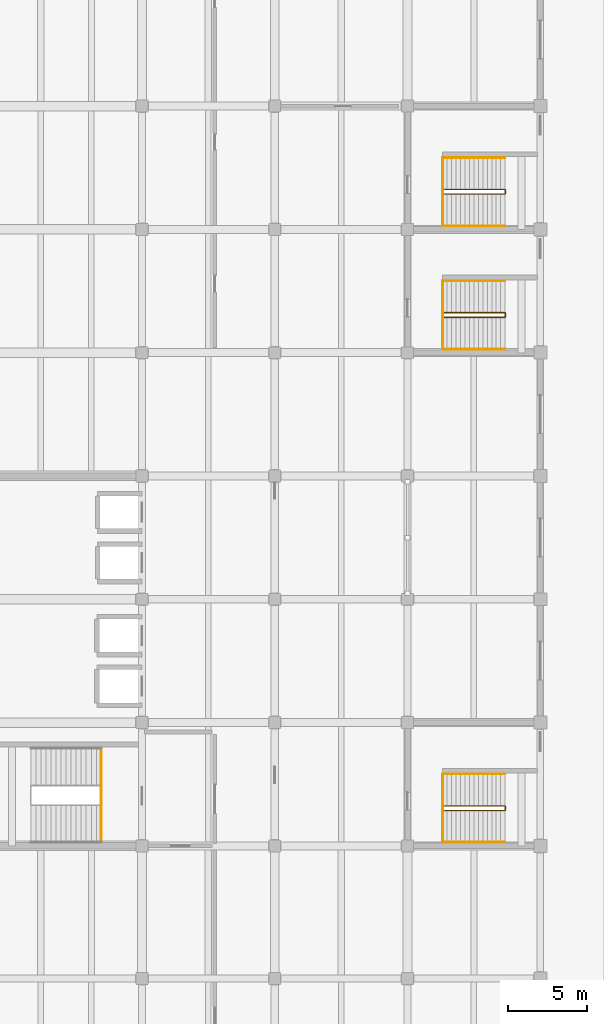
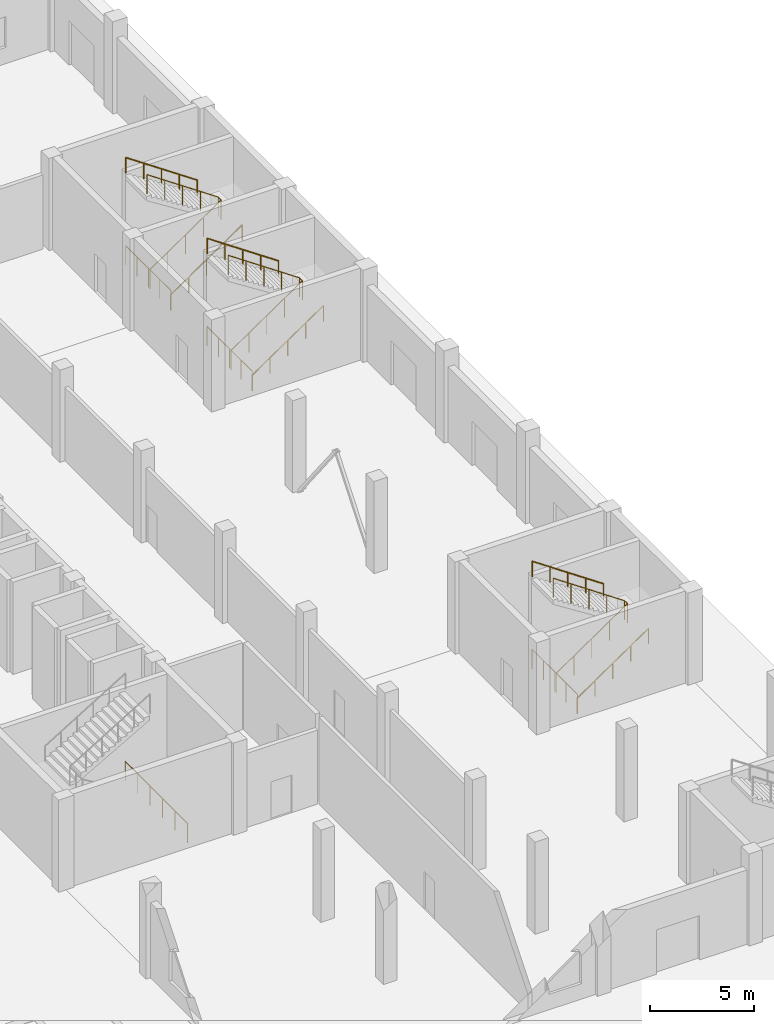
# One storey, part 77 of 78: 13 railings.
"""IFC4 building model written with IfcOpenShell, lengths in metres."""

from ifc_helpers import new_model, si_unit, direction, frame, origin, origin_2d, place, context, subcontext, project, spatial, circle, extrude, material, type_object, element, save


model = new_model("IFC4")

# Units and contexts
model_context = context("Model", 3, precision=1e-05, world=origin(), true_north=direction((0.0, 1.0)))
body_context = subcontext(model_context, "Body", "Model", "MODEL_VIEW")
ifc_project = project(units=[si_unit("LENGTHUNIT", "METRE"), si_unit("AREAUNIT", "SQUARE_METRE"), si_unit("VOLUMEUNIT", "CUBIC_METRE"), si_unit("PLANEANGLEUNIT", "RADIAN"), si_unit("MASSUNIT", "GRAM", prefix="KILO")], contexts=[model_context])

# Site, building, storey
site_placement = place(None, origin())
site = spatial("IfcSite", under=ifc_project, at=site_placement, CompositionType="ELEMENT")
building_placement = place(site_placement, origin())
building = spatial("IfcBuilding", under=site, at=building_placement, Name="Pellamere Symphony Hall", CompositionType="ELEMENT")
storey_placement = place(building_placement, origin())
storey = spatial("IfcBuildingStorey", under=building, at=storey_placement, Name="L00", CompositionType="ELEMENT", Elevation=0.0)

# Railings
ifc_material_1 = material(Name="Painted Steel CSA G40.21 350W", Category="steel")
railing_type_1 = type_object("IfcRailingType", Name="Guardrail GR-02 H1150 Painted", PredefinedType="GUARDRAIL", material=ifc_material_1)
railing_1_placement = place(storey_placement, frame((145.02490234375, 38.610107421875, 0.0)))
element("IfcRailing", 1, at=railing_1_placement, inside=storey, type_object=railing_type_1, Name="Stair ST02-L00 Landing Well Slot Guard (L00)", PredefinedType="GUARDRAIL", context=body_context, shape_type="SweptSolid", body=[
    extrude(circle(Radius=0.02392578125, at=origin_2d()), frame((0.0, 0.0, 1.1259765625), z_axis=(0.0, 1.0, 0.0), x_axis=(-1.0, 0.0, 0.0)), (0.0, 0.0, 1.0), 5.97998046875),
    extrude(circle(Radius=0.02099609375, at=origin_2d()), origin(), (0.0, 0.0, 1.0), 1.101806640625),
    extrude(circle(Radius=0.02099609375, at=origin_2d()), frame((0.0, 1.196044921875, 0.0)), (0.0, 0.0, 1.0), 1.101806640625),
    extrude(circle(Radius=0.02099609375, at=origin_2d()), frame((0.0, 2.39208984375, 0.0)), (0.0, 0.0, 1.0), 1.101806640625),
    extrude(circle(Radius=0.02099609375, at=origin_2d()), frame((0.0, 3.587890625, 0.0)), (0.0, 0.0, 1.0), 1.101806640625),
    extrude(circle(Radius=0.02099609375, at=origin_2d()), frame((0.0, 4.783935546875, 0.0)), (0.0, 0.0, 1.0), 1.101806640625),
    extrude(circle(Radius=0.02099609375, at=origin_2d()), frame((0.0, 5.97998046875, 0.0)), (0.0, 0.0, 1.0), 1.101806640625),
])
railing_2_placement = place(storey_placement, frame((166.625, 71.840087890625, 0.0)))
element("IfcRailing", 2, at=railing_2_placement, inside=storey, type_object=railing_type_1, Name="Stair ST05-L00 Continuous Well Guardrail (L00)", PredefinedType="GUARDRAIL", context=body_context, shape_type="SweptSolid", body=[
    extrude(circle(Radius=0.02392578125, at=origin_2d()), frame((0.0, 0.0, 1.1259765625), z_axis=(0.825565005729, 0.0, 0.564307027527), x_axis=(0.0, 1.0, 0.0)), (0.0, 0.0, 1.0), 4.784423828125),
    extrude(circle(Radius=0.02392578125, at=origin_2d()), frame((3.949951171875, 0.0, 3.82568359375), z_axis=(0.0, 1.0, 0.0), x_axis=(-1.0, 0.0, 0.0)), (0.0, 0.0, 1.0), 0.280029296875),
    extrude(circle(Radius=0.02392578125, at=origin_2d()), frame((3.949951171875, 0.280029296875, 3.82568359375), z_axis=(-0.825565005729, 0.0, 0.564307027527), x_axis=(0.0, -1.0, 0.0)), (0.0, 0.0, 1.0), 4.784423828125),
    extrude(circle(Radius=0.02099609375, at=origin_2d()), origin(), (0.0, 0.0, 1.0), 1.101806640625),
    extrude(circle(Radius=0.02099609375, at=origin_2d()), frame((0.987548828125, 0.0, 0.675048828125)), (0.0, 0.0, 1.0), 1.101806640625),
    extrude(circle(Radius=0.02099609375, at=origin_2d()), frame((1.97509765625, 0.0, 1.35009765625)), (0.0, 0.0, 1.0), 1.101806640625),
    extrude(circle(Radius=0.02099609375, at=origin_2d()), frame((2.96240234375, 0.0, 2.02490234375)), (0.0, 0.0, 1.0), 1.101806640625),
    extrude(circle(Radius=0.02099609375, at=origin_2d()), frame((3.949951171875, 0.0, 2.699951171875)), (0.0, 0.0, 1.0), 1.101806640625),
    extrude(circle(Radius=0.02099609375, at=origin_2d()), frame((3.949951171875, 0.280029296875, 2.699951171875)), (0.0, 0.0, 1.0), 1.101806640625),
    extrude(circle(Radius=0.02099609375, at=origin_2d()), frame((2.96240234375, 0.280029296875, 3.375)), (0.0, 0.0, 1.0), 1.101806640625),
    extrude(circle(Radius=0.02099609375, at=origin_2d()), frame((1.97509765625, 0.280029296875, 4.0498046875)), (0.0, 0.0, 1.0), 1.101806640625),
    extrude(circle(Radius=0.02099609375, at=origin_2d()), frame((0.987548828125, 0.280029296875, 4.724853515625)), (0.0, 0.0, 1.0), 1.101806640625),
    extrude(circle(Radius=0.02099609375, at=origin_2d()), frame((0.0, 0.280029296875, 5.39990234375)), (0.0, 0.0, 1.0), 1.101806640625),
])
railing_3_placement = place(storey_placement, frame((166.625, 69.81005859375, 0.0)))
element("IfcRailing", 3, at=railing_3_placement, inside=storey, type_object=railing_type_1, Name="Stair ST05-L00 Landing Well Slot Guard (L00)", PredefinedType="GUARDRAIL", context=body_context, shape_type="SweptSolid", body=[
    extrude(circle(Radius=0.02392578125, at=origin_2d()), frame((0.0, 0.0, 1.1259765625), z_axis=(0.0, 1.0, 0.0), x_axis=(-1.0, 0.0, 0.0)), (0.0, 0.0, 1.0), 4.33984375),
    extrude(circle(Radius=0.02099609375, at=origin_2d()), origin(), (0.0, 0.0, 1.0), 1.101806640625),
    extrude(circle(Radius=0.02099609375, at=origin_2d()), frame((0.0, 1.0849609375, 0.0)), (0.0, 0.0, 1.0), 1.101806640625),
    extrude(circle(Radius=0.02099609375, at=origin_2d()), frame((0.0, 2.169921875, 0.0)), (0.0, 0.0, 1.0), 1.101806640625),
    extrude(circle(Radius=0.02099609375, at=origin_2d()), frame((0.0, 3.2548828125, 0.0)), (0.0, 0.0, 1.0), 1.101806640625),
    extrude(circle(Radius=0.02099609375, at=origin_2d()), frame((0.0, 4.33984375, 0.0)), (0.0, 0.0, 1.0), 1.101806640625),
])
railing_4_placement = place(storey_placement, frame((166.625, 40.639892578125, 0.0)))
element("IfcRailing", 4, at=railing_4_placement, inside=storey, type_object=railing_type_1, Name="Stair ST06-L00 Continuous Well Guardrail (L00)", PredefinedType="GUARDRAIL", context=body_context, shape_type="SweptSolid", body=[
    extrude(circle(Radius=0.02392578125, at=origin_2d()), frame((0.0, 0.0, 1.1259765625), z_axis=(0.825565005729, 0.0, 0.564307027527), x_axis=(0.0, 1.0, 0.0)), (0.0, 0.0, 1.0), 4.784423828125),
    extrude(circle(Radius=0.02392578125, at=origin_2d()), frame((3.949951171875, 0.0, 3.82568359375), z_axis=(0.0, 1.0, 0.0), x_axis=(-1.0, 0.0, 0.0)), (0.0, 0.0, 1.0), 0.280029296875),
    extrude(circle(Radius=0.02392578125, at=origin_2d()), frame((3.949951171875, 0.280029296875, 3.82568359375), z_axis=(-0.825565005729, 0.0, 0.564307027527), x_axis=(0.0, -1.0, 0.0)), (0.0, 0.0, 1.0), 4.784423828125),
    extrude(circle(Radius=0.02099609375, at=origin_2d()), origin(), (0.0, 0.0, 1.0), 1.101806640625),
    extrude(circle(Radius=0.02099609375, at=origin_2d()), frame((0.987548828125, 0.0, 0.675048828125)), (0.0, 0.0, 1.0), 1.101806640625),
    extrude(circle(Radius=0.02099609375, at=origin_2d()), frame((1.97509765625, 0.0, 1.35009765625)), (0.0, 0.0, 1.0), 1.101806640625),
    extrude(circle(Radius=0.02099609375, at=origin_2d()), frame((2.96240234375, 0.0, 2.02490234375)), (0.0, 0.0, 1.0), 1.101806640625),
    extrude(circle(Radius=0.02099609375, at=origin_2d()), frame((3.949951171875, 0.0, 2.699951171875)), (0.0, 0.0, 1.0), 1.101806640625),
    extrude(circle(Radius=0.02099609375, at=origin_2d()), frame((3.949951171875, 0.280029296875, 2.699951171875)), (0.0, 0.0, 1.0), 1.101806640625),
    extrude(circle(Radius=0.02099609375, at=origin_2d()), frame((2.96240234375, 0.280029296875, 3.375)), (0.0, 0.0, 1.0), 1.101806640625),
    extrude(circle(Radius=0.02099609375, at=origin_2d()), frame((1.97509765625, 0.280029296875, 4.0498046875)), (0.0, 0.0, 1.0), 1.101806640625),
    extrude(circle(Radius=0.02099609375, at=origin_2d()), frame((0.987548828125, 0.280029296875, 4.724853515625)), (0.0, 0.0, 1.0), 1.101806640625),
    extrude(circle(Radius=0.02099609375, at=origin_2d()), frame((0.0, 0.280029296875, 5.39990234375)), (0.0, 0.0, 1.0), 1.101806640625),
])
railing_5_placement = place(storey_placement, frame((166.625, 38.610107421875, 0.0)))
element("IfcRailing", 5, at=railing_5_placement, inside=storey, type_object=railing_type_1, Name="Stair ST06-L00 Landing Well Slot Guard (L00)", PredefinedType="GUARDRAIL", context=body_context, shape_type="SweptSolid", body=[
    extrude(circle(Radius=0.02392578125, at=origin_2d()), frame((0.0, 0.0, 1.1259765625), z_axis=(0.0, 1.0, 0.0), x_axis=(-1.0, 0.0, 0.0)), (0.0, 0.0, 1.0), 4.33984375),
    extrude(circle(Radius=0.02099609375, at=origin_2d()), origin(), (0.0, 0.0, 1.0), 1.101806640625),
    extrude(circle(Radius=0.02099609375, at=origin_2d()), frame((0.0, 1.0849609375, 0.0)), (0.0, 0.0, 1.0), 1.101806640625),
    extrude(circle(Radius=0.02099609375, at=origin_2d()), frame((0.0, 2.169921875, 0.0)), (0.0, 0.0, 1.0), 1.101806640625),
    extrude(circle(Radius=0.02099609375, at=origin_2d()), frame((0.0, 3.2548828125, 0.0)), (0.0, 0.0, 1.0), 1.101806640625),
    extrude(circle(Radius=0.02099609375, at=origin_2d()), frame((0.0, 4.33984375, 0.0)), (0.0, 0.0, 1.0), 1.101806640625),
])
railing_6_placement = place(storey_placement, frame((166.625, 79.639892578125, 0.0)))
element("IfcRailing", 6, at=railing_6_placement, inside=storey, type_object=railing_type_1, Name="Stair ST14-L00 Continuous Well Guardrail (L00)", PredefinedType="GUARDRAIL", context=body_context, shape_type="SweptSolid", body=[
    extrude(circle(Radius=0.02392578125, at=origin_2d()), frame((0.0, 0.0, 1.1259765625), z_axis=(0.825565005729, 0.0, 0.564307027527), x_axis=(0.0, 1.0, 0.0)), (0.0, 0.0, 1.0), 4.784423828125),
    extrude(circle(Radius=0.02392578125, at=origin_2d()), frame((3.949951171875, 0.0, 3.82568359375), z_axis=(0.0, 1.0, 0.0), x_axis=(-1.0, 0.0, 0.0)), (0.0, 0.0, 1.0), 0.280029296875),
    extrude(circle(Radius=0.02392578125, at=origin_2d()), frame((3.949951171875, 0.280029296875, 3.82568359375), z_axis=(-0.825565005729, 0.0, 0.564307027527), x_axis=(0.0, -1.0, 0.0)), (0.0, 0.0, 1.0), 4.784423828125),
    extrude(circle(Radius=0.02099609375, at=origin_2d()), origin(), (0.0, 0.0, 1.0), 1.101806640625),
    extrude(circle(Radius=0.02099609375, at=origin_2d()), frame((0.987548828125, 0.0, 0.675048828125)), (0.0, 0.0, 1.0), 1.101806640625),
    extrude(circle(Radius=0.02099609375, at=origin_2d()), frame((1.97509765625, 0.0, 1.35009765625)), (0.0, 0.0, 1.0), 1.101806640625),
    extrude(circle(Radius=0.02099609375, at=origin_2d()), frame((2.96240234375, 0.0, 2.02490234375)), (0.0, 0.0, 1.0), 1.101806640625),
    extrude(circle(Radius=0.02099609375, at=origin_2d()), frame((3.949951171875, 0.0, 2.699951171875)), (0.0, 0.0, 1.0), 1.101806640625),
    extrude(circle(Radius=0.02099609375, at=origin_2d()), frame((3.949951171875, 0.280029296875, 2.699951171875)), (0.0, 0.0, 1.0), 1.101806640625),
    extrude(circle(Radius=0.02099609375, at=origin_2d()), frame((2.96240234375, 0.280029296875, 3.375)), (0.0, 0.0, 1.0), 1.101806640625),
    extrude(circle(Radius=0.02099609375, at=origin_2d()), frame((1.97509765625, 0.280029296875, 4.0498046875)), (0.0, 0.0, 1.0), 1.101806640625),
    extrude(circle(Radius=0.02099609375, at=origin_2d()), frame((0.987548828125, 0.280029296875, 4.724853515625)), (0.0, 0.0, 1.0), 1.101806640625),
    extrude(circle(Radius=0.02099609375, at=origin_2d()), frame((0.0, 0.280029296875, 5.39990234375)), (0.0, 0.0, 1.0), 1.101806640625),
])
railing_7_placement = place(storey_placement, frame((166.625, 77.610107421875, 0.0)))
element("IfcRailing", 7, at=railing_7_placement, inside=storey, type_object=railing_type_1, Name="Stair ST14-L00 Landing Well Slot Guard (L00)", PredefinedType="GUARDRAIL", context=body_context, shape_type="SweptSolid", body=[
    extrude(circle(Radius=0.02392578125, at=origin_2d()), frame((0.0, 0.0, 1.1259765625), z_axis=(0.0, 1.0, 0.0), x_axis=(-1.0, 0.0, 0.0)), (0.0, 0.0, 1.0), 4.33984375),
    extrude(circle(Radius=0.02099609375, at=origin_2d()), origin(), (0.0, 0.0, 1.0), 1.101806640625),
    extrude(circle(Radius=0.02099609375, at=origin_2d()), frame((0.0, 1.0849609375, 0.0)), (0.0, 0.0, 1.0), 1.101806640625),
    extrude(circle(Radius=0.02099609375, at=origin_2d()), frame((0.0, 2.169921875, 0.0)), (0.0, 0.0, 1.0), 1.101806640625),
    extrude(circle(Radius=0.02099609375, at=origin_2d()), frame((0.0, 3.2548828125, 0.0)), (0.0, 0.0, 1.0), 1.101806640625),
    extrude(circle(Radius=0.02099609375, at=origin_2d()), frame((0.0, 4.33984375, 0.0)), (0.0, 0.0, 1.0), 1.101806640625),
])
ifc_material_2 = material(Name="Stainless Steel AISI 316", Category="steel")
railing_type_2 = type_object("IfcRailingType", Name="Handrail HR-01 H920 Stainless", PredefinedType="HANDRAIL", material=ifc_material_2)
railing_8_placement = place(storey_placement, frame((166.625, 69.820068359375, 0.0)))
element("IfcRailing", 8, at=railing_8_placement, inside=storey, type_object=railing_type_2, Name="Stair ST05-L00 Lower Wall Handrail (L00)", PredefinedType="HANDRAIL", context=body_context, shape_type="SweptSolid", body=[
    extrude(circle(Radius=0.02392578125, at=origin_2d()), frame((0.0, 0.0, 0.89599609375), z_axis=(0.825565005729, 0.0, 0.564307027527), x_axis=(0.0, 1.0, 0.0)), (0.0, 0.0, 1.0), 4.784423828125),
    extrude(circle(Radius=0.02099609375, at=origin_2d()), origin(), (0.0, 0.0, 1.0), 0.871826171875),
    extrude(circle(Radius=0.02099609375, at=origin_2d()), frame((0.987548828125, 0.0, 0.675048828125)), (0.0, 0.0, 1.0), 0.871826171875),
    extrude(circle(Radius=0.02099609375, at=origin_2d()), frame((1.97509765625, 0.0, 1.35009765625)), (0.0, 0.0, 1.0), 0.871826171875),
    extrude(circle(Radius=0.02099609375, at=origin_2d()), frame((2.96240234375, 0.0, 2.02490234375)), (0.0, 0.0, 1.0), 0.871826171875),
    extrude(circle(Radius=0.02099609375, at=origin_2d()), frame((3.949951171875, 0.0, 2.699951171875)), (0.0, 0.0, 1.0), 0.871826171875),
])
railing_9_placement = place(storey_placement, frame((170.574951171875, 74.139892578125, 2.699951171875)))
element("IfcRailing", 9, at=railing_9_placement, inside=storey, type_object=railing_type_2, Name="Stair ST05-L00 Upper Wall Handrail (L00)", PredefinedType="HANDRAIL", context=body_context, shape_type="SweptSolid", body=[
    extrude(circle(Radius=0.02392578125, at=origin_2d()), frame((0.0, 0.0, 0.89599609375), z_axis=(-0.825565005729, 0.0, 0.564307027527), x_axis=(0.0, -1.0, 0.0)), (0.0, 0.0, 1.0), 4.784423828125),
    extrude(circle(Radius=0.02099609375, at=origin_2d()), origin(), (0.0, 0.0, 1.0), 0.871826171875),
    extrude(circle(Radius=0.02099609375, at=origin_2d()), frame((-0.987548828125, 0.0, 0.675048828125)), (0.0, 0.0, 1.0), 0.871826171875),
    extrude(circle(Radius=0.02099609375, at=origin_2d()), frame((-1.97509765625, 0.0, 1.35009765625)), (0.0, 0.0, 1.0), 0.871826171875),
    extrude(circle(Radius=0.02099609375, at=origin_2d()), frame((-2.96240234375, 0.0, 2.02490234375)), (0.0, 0.0, 1.0), 0.871826171875),
    extrude(circle(Radius=0.02099609375, at=origin_2d()), frame((-3.949951171875, 0.0, 2.699951171875)), (0.0, 0.0, 1.0), 0.871826171875),
])
railing_10_placement = place(storey_placement, frame((166.625, 38.6201171875, 0.0)))
element("IfcRailing", 10, at=railing_10_placement, inside=storey, type_object=railing_type_2, Name="Stair ST06-L00 Lower Wall Handrail (L00)", PredefinedType="HANDRAIL", context=body_context, shape_type="SweptSolid", body=[
    extrude(circle(Radius=0.02392578125, at=origin_2d()), frame((0.0, 0.0, 0.89599609375), z_axis=(0.825565005729, 0.0, 0.564307027527), x_axis=(0.0, 1.0, 0.0)), (0.0, 0.0, 1.0), 4.784423828125),
    extrude(circle(Radius=0.02099609375, at=origin_2d()), origin(), (0.0, 0.0, 1.0), 0.871826171875),
    extrude(circle(Radius=0.02099609375, at=origin_2d()), frame((0.987548828125, 0.0, 0.675048828125)), (0.0, 0.0, 1.0), 0.871826171875),
    extrude(circle(Radius=0.02099609375, at=origin_2d()), frame((1.97509765625, 0.0, 1.35009765625)), (0.0, 0.0, 1.0), 0.871826171875),
    extrude(circle(Radius=0.02099609375, at=origin_2d()), frame((2.96240234375, 0.0, 2.02490234375)), (0.0, 0.0, 1.0), 0.871826171875),
    extrude(circle(Radius=0.02099609375, at=origin_2d()), frame((3.949951171875, 0.0, 2.699951171875)), (0.0, 0.0, 1.0), 0.871826171875),
])
railing_11_placement = place(storey_placement, frame((170.574951171875, 42.93994140625, 2.699951171875)))
element("IfcRailing", 11, at=railing_11_placement, inside=storey, type_object=railing_type_2, Name="Stair ST06-L00 Upper Wall Handrail (L00)", PredefinedType="HANDRAIL", context=body_context, shape_type="SweptSolid", body=[
    extrude(circle(Radius=0.02392578125, at=origin_2d()), frame((0.0, 0.0, 0.89599609375), z_axis=(-0.825565005729, 0.0, 0.564307027527), x_axis=(0.0, -1.0, 0.0)), (0.0, 0.0, 1.0), 4.784423828125),
    extrude(circle(Radius=0.02099609375, at=origin_2d()), origin(), (0.0, 0.0, 1.0), 0.871826171875),
    extrude(circle(Radius=0.02099609375, at=origin_2d()), frame((-0.987548828125, 0.0, 0.675048828125)), (0.0, 0.0, 1.0), 0.871826171875),
    extrude(circle(Radius=0.02099609375, at=origin_2d()), frame((-1.97509765625, 0.0, 1.35009765625)), (0.0, 0.0, 1.0), 0.871826171875),
    extrude(circle(Radius=0.02099609375, at=origin_2d()), frame((-2.96240234375, 0.0, 2.02490234375)), (0.0, 0.0, 1.0), 0.871826171875),
    extrude(circle(Radius=0.02099609375, at=origin_2d()), frame((-3.949951171875, 0.0, 2.699951171875)), (0.0, 0.0, 1.0), 0.871826171875),
])
railing_12_placement = place(storey_placement, frame((166.625, 77.6201171875, 0.0)))
element("IfcRailing", 12, at=railing_12_placement, inside=storey, type_object=railing_type_2, Name="Stair ST14-L00 Lower Wall Handrail (L00)", PredefinedType="HANDRAIL", context=body_context, shape_type="SweptSolid", body=[
    extrude(circle(Radius=0.02392578125, at=origin_2d()), frame((0.0, 0.0, 0.89599609375), z_axis=(0.825565005729, 0.0, 0.564307027527), x_axis=(0.0, 1.0, 0.0)), (0.0, 0.0, 1.0), 4.784423828125),
    extrude(circle(Radius=0.02099609375, at=origin_2d()), origin(), (0.0, 0.0, 1.0), 0.871826171875),
    extrude(circle(Radius=0.02099609375, at=origin_2d()), frame((0.987548828125, 0.0, 0.675048828125)), (0.0, 0.0, 1.0), 0.871826171875),
    extrude(circle(Radius=0.02099609375, at=origin_2d()), frame((1.97509765625, 0.0, 1.35009765625)), (0.0, 0.0, 1.0), 0.871826171875),
    extrude(circle(Radius=0.02099609375, at=origin_2d()), frame((2.96240234375, 0.0, 2.02490234375)), (0.0, 0.0, 1.0), 0.871826171875),
    extrude(circle(Radius=0.02099609375, at=origin_2d()), frame((3.949951171875, 0.0, 2.699951171875)), (0.0, 0.0, 1.0), 0.871826171875),
])
railing_13_placement = place(storey_placement, frame((170.574951171875, 81.93994140625, 2.699951171875)))
element("IfcRailing", 13, at=railing_13_placement, inside=storey, type_object=railing_type_2, Name="Stair ST14-L00 Upper Wall Handrail (L00)", PredefinedType="HANDRAIL", context=body_context, shape_type="SweptSolid", body=[
    extrude(circle(Radius=0.02392578125, at=origin_2d()), frame((0.0, 0.0, 0.89599609375), z_axis=(-0.825565005729, 0.0, 0.564307027527), x_axis=(0.0, -1.0, 0.0)), (0.0, 0.0, 1.0), 4.784423828125),
    extrude(circle(Radius=0.02099609375, at=origin_2d()), origin(), (0.0, 0.0, 1.0), 0.871826171875),
    extrude(circle(Radius=0.02099609375, at=origin_2d()), frame((-0.987548828125, 0.0, 0.675048828125)), (0.0, 0.0, 1.0), 0.871826171875),
    extrude(circle(Radius=0.02099609375, at=origin_2d()), frame((-1.97509765625, 0.0, 1.35009765625)), (0.0, 0.0, 1.0), 0.871826171875),
    extrude(circle(Radius=0.02099609375, at=origin_2d()), frame((-2.96240234375, 0.0, 2.02490234375)), (0.0, 0.0, 1.0), 0.871826171875),
    extrude(circle(Radius=0.02099609375, at=origin_2d()), frame((-3.949951171875, 0.0, 2.699951171875)), (0.0, 0.0, 1.0), 0.871826171875),
])

save(model, "model.ifc")
